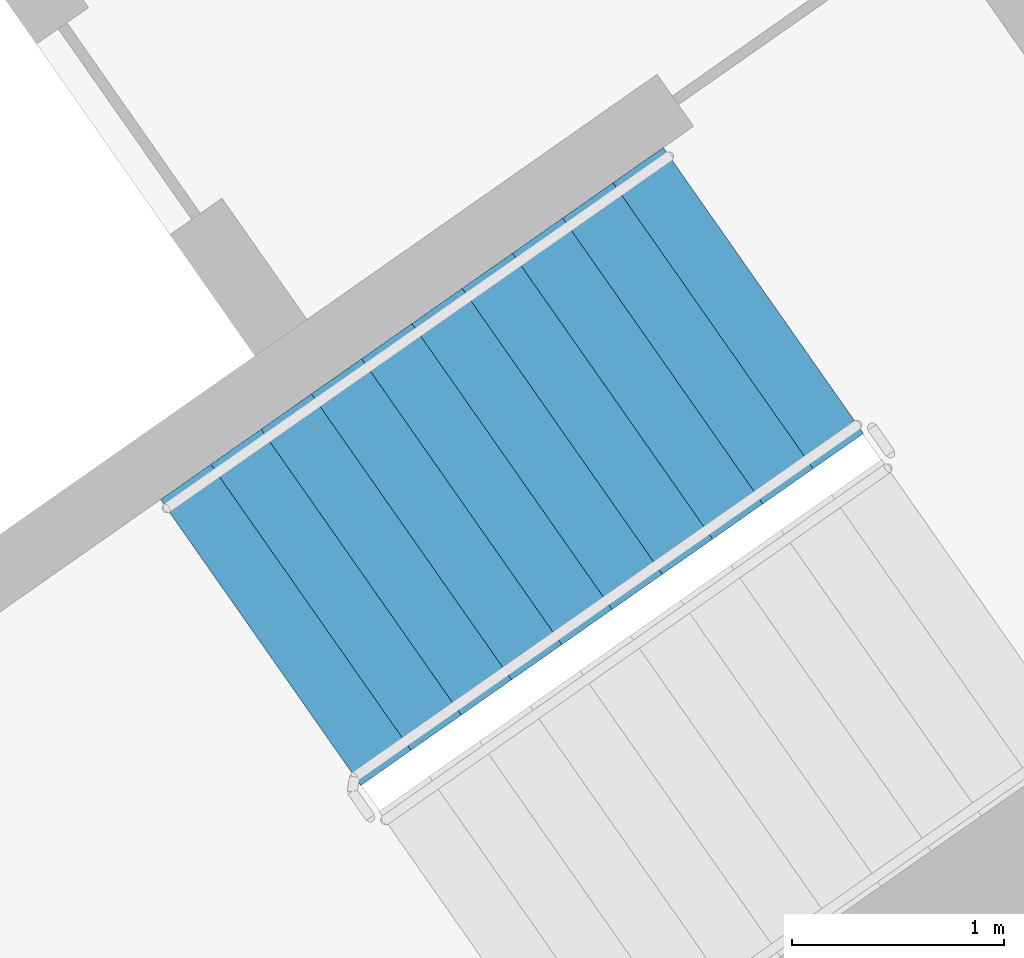
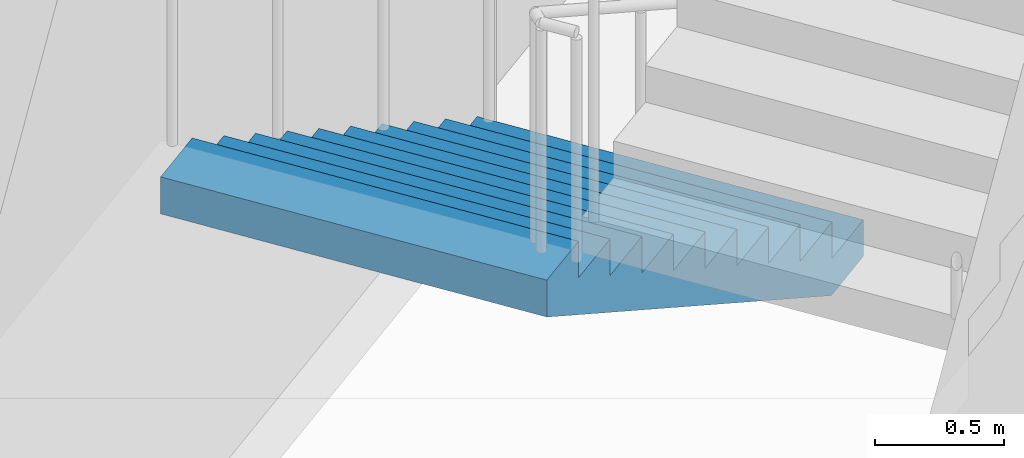
# One storey, part 13 of 26: 1 stair flight, 1 element without a shape of its own.
"""IFC4 building model written with IfcOpenShell, lengths in metres."""

from ifc_helpers import new_model, si_unit, direction, frame, origin, place, context, subcontext, project, spatial, faceted_brep, material, type_object, element, aggregate, save


model = new_model("IFC4")

# Units and contexts
model_context = context("Model", 3, precision=1e-05, world=origin(), true_north=direction((0.0, 1.0)))
body_context = subcontext(model_context, "Body", "Model", "MODEL_VIEW")
ifc_project = project(units=[si_unit("LENGTHUNIT", "METRE"), si_unit("AREAUNIT", "SQUARE_METRE"), si_unit("VOLUMEUNIT", "CUBIC_METRE"), si_unit("PLANEANGLEUNIT", "RADIAN"), si_unit("MASSUNIT", "GRAM", prefix="KILO")], contexts=[model_context])

# Site, building, storey
site_placement = place(None, origin())
site = spatial("IfcSite", under=ifc_project, at=site_placement, CompositionType="ELEMENT")
building_placement = place(site_placement, origin())
building = spatial("IfcBuilding", under=site, at=building_placement, Name="Qamariyya Broadcast Tower", CompositionType="ELEMENT")
storey_placement = place(building_placement, frame((0.0, 0.0, 156.89990234375)))
storey = spatial("IfcBuildingStorey", under=building, at=storey_placement, Name="L36", CompositionType="ELEMENT", Elevation=156.89990234375)

# Stair, stair flight
ifc_material = material(Name="Concrete C50/60", Category="concrete")
stair_type = type_object("IfcStairType", Name="Exit stair 22 risers of 173 mm", PredefinedType="HALF_TURN_STAIR", material=ifc_material)
stair_placement = place(storey_placement, origin())
stair = element("IfcStair", 1, at=stair_placement, inside=storey, type_object=stair_type, Name="L36 Stair E1", PredefinedType="HALF_TURN_STAIR")
stair_flight_type = type_object("IfcStairFlightType", Name="Exit stair flight 11 risers of 173 mm", PredefinedType="STRAIGHT", material=ifc_material)
stair_flight_placement = place(storey_placement, frame((46.036376953125, -55.508056640625, 0.0), z_axis=(0.0, 0.0, 1.0), x_axis=(-0.819152044289, -0.573576436351, 0.0)))
stair_flight = element("IfcStairFlight", 2, at=stair_flight_placement, type_object=stair_flight_type, Name="ST-E1 flight 1", NumberOfRisers=11, NumberOfTreads=10, PredefinedType="STRAIGHT", RiserHeight=0.172727273, TreadLength=0.29, context=body_context, shape_type="Brep", body=[
    faceted_brep([(0.0, 0.824951171875, 0.0), (0.0, 0.824951171875, 0.172607421875), (0.2900390625, 0.824951171875, 0.172607421875), (0.2900390625, 0.824951171875, 0.345458984375), (0.580078125, 0.824951171875, 0.345458984375), (0.580078125, 0.824951171875, 0.51806640625), (0.8701171875, 0.824951171875, 0.51806640625), (0.8701171875, 0.824951171875, 0.69091796875), (1.159912109375, 0.824951171875, 0.69091796875), (1.159912109375, 0.824951171875, 0.863525390625), (1.449951171875, 0.824951171875, 0.863525390625), (1.449951171875, 0.824951171875, 1.036376953125), (1.739990234375, 0.824951171875, 1.036376953125), (1.739990234375, 0.824951171875, 1.208984375), (2.030029296875, 0.824951171875, 1.208984375), (2.030029296875, 0.824951171875, 1.3818359375), (2.320068359375, 0.824951171875, 1.3818359375), (2.320068359375, 0.824951171875, 1.554443359375), (2.610107421875, 0.824951171875, 1.554443359375), (2.610107421875, 0.824951171875, 1.727294921875), (2.89990234375, 0.824951171875, 1.727294921875), (2.89990234375, 0.824951171875, 1.552734375), (0.29296875, 0.824951171875, 0.0), (0.29296875, -0.824951171875, 0.0), (2.89990234375, -0.824951171875, 1.552734375), (2.89990234375, -0.824951171875, 1.727294921875), (2.610107421875, -0.824951171875, 1.727294921875), (2.610107421875, -0.824951171875, 1.554443359375), (2.320068359375, -0.824951171875, 1.554443359375), (2.320068359375, -0.824951171875, 1.3818359375), (2.030029296875, -0.824951171875, 1.3818359375), (2.030029296875, -0.824951171875, 1.208984375), (1.739990234375, -0.824951171875, 1.208984375), (1.739990234375, -0.824951171875, 1.036376953125), (1.449951171875, -0.824951171875, 1.036376953125), (1.449951171875, -0.824951171875, 0.863525390625), (1.159912109375, -0.824951171875, 0.863525390625), (1.159912109375, -0.824951171875, 0.69091796875), (0.8701171875, -0.824951171875, 0.69091796875), (0.8701171875, -0.824951171875, 0.51806640625), (0.580078125, -0.824951171875, 0.51806640625), (0.580078125, -0.824951171875, 0.345458984375), (0.2900390625, -0.824951171875, 0.345458984375), (0.2900390625, -0.824951171875, 0.172607421875), (0.0, -0.824951171875, 0.172607421875), (0.0, -0.824951171875, 0.0), (0.0, 0.10009765625, 0.0), (0.0, 0.086669921875, 0.0), (0.0, 0.0732421875, 0.0), (0.0, 0.06005859375, 0.0), (0.0, 0.046630859375, 0.0), (0.0, 0.033447265625, 0.0), (0.0, 0.02001953125, 0.0), (0.0, 0.006591796875, 0.0), (0.0, -0.006591796875, 0.0), (0.0, -0.02001953125, 0.0), (0.0, -0.033447265625, 0.0), (0.0, -0.046630859375, 0.0), (0.0, -0.06005859375, 0.0), (0.0, -0.0732421875, 0.0), (0.0, -0.086669921875, 0.0), (0.0, -0.10009765625, 0.0), (0.0, -0.10009765625, 0.172607421875), (0.0, -0.086669921875, 0.172607421875), (0.0, -0.0732421875, 0.172607421875), (0.0, -0.06005859375, 0.172607421875), (0.0, -0.046630859375, 0.172607421875), (0.0, -0.033447265625, 0.172607421875), (0.0, -0.02001953125, 0.172607421875), (0.0, -0.006591796875, 0.172607421875), (0.0, 0.006591796875, 0.172607421875), (0.0, 0.02001953125, 0.172607421875), (0.0, 0.033447265625, 0.172607421875), (0.0, 0.046630859375, 0.172607421875), (0.0, 0.06005859375, 0.172607421875), (0.0, 0.0732421875, 0.172607421875), (0.0, 0.086669921875, 0.172607421875), (0.0, 0.10009765625, 0.172607421875), (0.2900390625, -0.10009765625, 0.172607421875), (0.2900390625, -0.086669921875, 0.172607421875), (0.2900390625, -0.0732421875, 0.172607421875), (0.2900390625, -0.06005859375, 0.172607421875), (0.2900390625, -0.046630859375, 0.172607421875), (0.2900390625, -0.033447265625, 0.172607421875), (0.2900390625, -0.02001953125, 0.172607421875), (0.2900390625, -0.006591796875, 0.172607421875), (0.2900390625, 0.006591796875, 0.172607421875), (0.2900390625, 0.02001953125, 0.172607421875), (0.2900390625, 0.033447265625, 0.172607421875), (0.2900390625, 0.046630859375, 0.172607421875), (0.2900390625, 0.06005859375, 0.172607421875), (0.2900390625, 0.0732421875, 0.172607421875), (0.2900390625, 0.086669921875, 0.172607421875), (0.2900390625, 0.10009765625, 0.172607421875), (0.2900390625, -0.10009765625, 0.345458984375), (0.2900390625, -0.086669921875, 0.345458984375), (0.2900390625, -0.0732421875, 0.345458984375), (0.2900390625, -0.06005859375, 0.345458984375), (0.2900390625, -0.046630859375, 0.345458984375), (0.2900390625, -0.033447265625, 0.345458984375), (0.2900390625, -0.02001953125, 0.345458984375), (0.2900390625, -0.006591796875, 0.345458984375), (0.2900390625, 0.006591796875, 0.345458984375), (0.2900390625, 0.02001953125, 0.345458984375), (0.2900390625, 0.033447265625, 0.345458984375), (0.2900390625, 0.046630859375, 0.345458984375), (0.2900390625, 0.06005859375, 0.345458984375), (0.2900390625, 0.0732421875, 0.345458984375), (0.2900390625, 0.086669921875, 0.345458984375), (0.2900390625, 0.10009765625, 0.345458984375), (0.580078125, -0.10009765625, 0.345458984375), (0.580078125, -0.086669921875, 0.345458984375), (0.580078125, -0.0732421875, 0.345458984375), (0.580078125, -0.06005859375, 0.345458984375), (0.580078125, -0.046630859375, 0.345458984375), (0.580078125, -0.033447265625, 0.345458984375), (0.580078125, -0.02001953125, 0.345458984375), (0.580078125, -0.006591796875, 0.345458984375), (0.580078125, 0.006591796875, 0.345458984375), (0.580078125, 0.02001953125, 0.345458984375), (0.580078125, 0.033447265625, 0.345458984375), (0.580078125, 0.046630859375, 0.345458984375), (0.580078125, 0.06005859375, 0.345458984375), (0.580078125, 0.0732421875, 0.345458984375), (0.580078125, 0.086669921875, 0.345458984375), (0.580078125, 0.10009765625, 0.345458984375), (0.580078125, -0.10009765625, 0.51806640625), (0.580078125, -0.086669921875, 0.51806640625), (0.580078125, -0.0732421875, 0.51806640625), (0.580078125, -0.06005859375, 0.51806640625), (0.580078125, -0.046630859375, 0.51806640625), (0.580078125, -0.033447265625, 0.51806640625), (0.580078125, -0.02001953125, 0.51806640625), (0.580078125, -0.006591796875, 0.51806640625), (0.580078125, 0.006591796875, 0.51806640625), (0.580078125, 0.02001953125, 0.51806640625), (0.580078125, 0.033447265625, 0.51806640625), (0.580078125, 0.046630859375, 0.51806640625), (0.580078125, 0.06005859375, 0.51806640625), (0.580078125, 0.0732421875, 0.51806640625), (0.580078125, 0.086669921875, 0.51806640625), (0.580078125, 0.10009765625, 0.51806640625), (0.8701171875, -0.10009765625, 0.51806640625), (0.8701171875, -0.086669921875, 0.51806640625), (0.8701171875, -0.0732421875, 0.51806640625), (0.8701171875, -0.06005859375, 0.51806640625), (0.8701171875, -0.046630859375, 0.51806640625), (0.8701171875, -0.033447265625, 0.51806640625), (0.8701171875, -0.02001953125, 0.51806640625), (0.8701171875, -0.006591796875, 0.51806640625), (0.8701171875, 0.006591796875, 0.51806640625), (0.8701171875, 0.02001953125, 0.51806640625), (0.8701171875, 0.033447265625, 0.51806640625), (0.8701171875, 0.046630859375, 0.51806640625), (0.8701171875, 0.06005859375, 0.51806640625), (0.8701171875, 0.0732421875, 0.51806640625), (0.8701171875, 0.086669921875, 0.51806640625), (0.8701171875, 0.10009765625, 0.51806640625), (0.8701171875, -0.10009765625, 0.69091796875), (0.8701171875, -0.086669921875, 0.69091796875), (0.8701171875, -0.0732421875, 0.69091796875), (0.8701171875, -0.06005859375, 0.69091796875), (0.8701171875, -0.046630859375, 0.69091796875), (0.8701171875, -0.033447265625, 0.69091796875), (0.8701171875, -0.02001953125, 0.69091796875), (0.8701171875, -0.006591796875, 0.69091796875), (0.8701171875, 0.006591796875, 0.69091796875), (0.8701171875, 0.02001953125, 0.69091796875), (0.8701171875, 0.033447265625, 0.69091796875), (0.8701171875, 0.046630859375, 0.69091796875), (0.8701171875, 0.06005859375, 0.69091796875), (0.8701171875, 0.0732421875, 0.69091796875), (0.8701171875, 0.086669921875, 0.69091796875), (0.8701171875, 0.10009765625, 0.69091796875), (1.159912109375, -0.10009765625, 0.69091796875), (1.159912109375, -0.086669921875, 0.69091796875), (1.159912109375, -0.0732421875, 0.69091796875), (1.159912109375, -0.06005859375, 0.69091796875), (1.159912109375, -0.046630859375, 0.69091796875), (1.159912109375, -0.033447265625, 0.69091796875), (1.159912109375, -0.02001953125, 0.69091796875), (1.159912109375, -0.006591796875, 0.69091796875), (1.159912109375, 0.006591796875, 0.69091796875), (1.159912109375, 0.02001953125, 0.69091796875), (1.159912109375, 0.033447265625, 0.69091796875), (1.159912109375, 0.046630859375, 0.69091796875), (1.159912109375, 0.06005859375, 0.69091796875), (1.159912109375, 0.0732421875, 0.69091796875), (1.159912109375, 0.086669921875, 0.69091796875), (1.159912109375, 0.10009765625, 0.69091796875), (1.159912109375, -0.10009765625, 0.863525390625), (1.159912109375, -0.086669921875, 0.863525390625), (1.159912109375, -0.0732421875, 0.863525390625), (1.159912109375, -0.06005859375, 0.863525390625), (1.159912109375, -0.046630859375, 0.863525390625), (1.159912109375, -0.033447265625, 0.863525390625), (1.159912109375, -0.02001953125, 0.863525390625), (1.159912109375, -0.006591796875, 0.863525390625), (1.159912109375, 0.006591796875, 0.863525390625), (1.159912109375, 0.02001953125, 0.863525390625), (1.159912109375, 0.033447265625, 0.863525390625), (1.159912109375, 0.046630859375, 0.863525390625), (1.159912109375, 0.06005859375, 0.863525390625), (1.159912109375, 0.0732421875, 0.863525390625), (1.159912109375, 0.086669921875, 0.863525390625), (1.159912109375, 0.10009765625, 0.863525390625), (1.449951171875, -0.10009765625, 0.863525390625), (1.449951171875, -0.086669921875, 0.863525390625), (1.449951171875, -0.0732421875, 0.863525390625), (1.449951171875, -0.06005859375, 0.863525390625), (1.449951171875, -0.046630859375, 0.863525390625), (1.449951171875, -0.033447265625, 0.863525390625), (1.449951171875, -0.02001953125, 0.863525390625), (1.449951171875, -0.006591796875, 0.863525390625), (1.449951171875, 0.006591796875, 0.863525390625), (1.449951171875, 0.02001953125, 0.863525390625), (1.449951171875, 0.033447265625, 0.863525390625), (1.449951171875, 0.046630859375, 0.863525390625), (1.449951171875, 0.06005859375, 0.863525390625), (1.449951171875, 0.0732421875, 0.863525390625), (1.449951171875, 0.086669921875, 0.863525390625), (1.449951171875, 0.10009765625, 0.863525390625), (1.449951171875, -0.10009765625, 1.036376953125), (1.449951171875, -0.086669921875, 1.036376953125), (1.449951171875, -0.0732421875, 1.036376953125), (1.449951171875, -0.06005859375, 1.036376953125), (1.449951171875, -0.046630859375, 1.036376953125), (1.449951171875, -0.033447265625, 1.036376953125), (1.449951171875, -0.02001953125, 1.036376953125), (1.449951171875, -0.006591796875, 1.036376953125), (1.449951171875, 0.006591796875, 1.036376953125), (1.449951171875, 0.02001953125, 1.036376953125), (1.449951171875, 0.033447265625, 1.036376953125), (1.449951171875, 0.046630859375, 1.036376953125), (1.449951171875, 0.06005859375, 1.036376953125), (1.449951171875, 0.0732421875, 1.036376953125), (1.449951171875, 0.086669921875, 1.036376953125), (1.449951171875, 0.10009765625, 1.036376953125), (1.739990234375, -0.10009765625, 1.036376953125), (1.739990234375, -0.086669921875, 1.036376953125), (1.739990234375, -0.0732421875, 1.036376953125), (1.739990234375, -0.06005859375, 1.036376953125), (1.739990234375, -0.046630859375, 1.036376953125), (1.739990234375, -0.033447265625, 1.036376953125), (1.739990234375, -0.02001953125, 1.036376953125), (1.739990234375, -0.006591796875, 1.036376953125), (1.739990234375, 0.006591796875, 1.036376953125), (1.739990234375, 0.02001953125, 1.036376953125), (1.739990234375, 0.033447265625, 1.036376953125), (1.739990234375, 0.046630859375, 1.036376953125), (1.739990234375, 0.06005859375, 1.036376953125), (1.739990234375, 0.0732421875, 1.036376953125), (1.739990234375, 0.086669921875, 1.036376953125), (1.739990234375, 0.10009765625, 1.036376953125), (1.739990234375, -0.10009765625, 1.208984375), (1.739990234375, -0.086669921875, 1.208984375), (1.739990234375, -0.0732421875, 1.208984375), (1.739990234375, -0.06005859375, 1.208984375), (1.739990234375, -0.046630859375, 1.208984375), (1.739990234375, -0.033447265625, 1.208984375), (1.739990234375, -0.02001953125, 1.208984375), (1.739990234375, -0.006591796875, 1.208984375), (1.739990234375, 0.006591796875, 1.208984375), (1.739990234375, 0.02001953125, 1.208984375), (1.739990234375, 0.033447265625, 1.208984375), (1.739990234375, 0.046630859375, 1.208984375), (1.739990234375, 0.06005859375, 1.208984375), (1.739990234375, 0.0732421875, 1.208984375), (1.739990234375, 0.086669921875, 1.208984375), (1.739990234375, 0.10009765625, 1.208984375), (2.030029296875, -0.10009765625, 1.208984375), (2.030029296875, -0.086669921875, 1.208984375), (2.030029296875, -0.0732421875, 1.208984375), (2.030029296875, -0.06005859375, 1.208984375), (2.030029296875, -0.046630859375, 1.208984375), (2.030029296875, -0.033447265625, 1.208984375), (2.030029296875, -0.02001953125, 1.208984375), (2.030029296875, -0.006591796875, 1.208984375), (2.030029296875, 0.006591796875, 1.208984375), (2.030029296875, 0.02001953125, 1.208984375), (2.030029296875, 0.033447265625, 1.208984375), (2.030029296875, 0.046630859375, 1.208984375), (2.030029296875, 0.06005859375, 1.208984375), (2.030029296875, 0.0732421875, 1.208984375), (2.030029296875, 0.086669921875, 1.208984375), (2.030029296875, 0.10009765625, 1.208984375), (2.030029296875, -0.10009765625, 1.3818359375), (2.030029296875, -0.086669921875, 1.3818359375), (2.030029296875, -0.0732421875, 1.3818359375), (2.030029296875, -0.06005859375, 1.3818359375), (2.030029296875, -0.046630859375, 1.3818359375), (2.030029296875, -0.033447265625, 1.3818359375), (2.030029296875, -0.02001953125, 1.3818359375), (2.030029296875, -0.006591796875, 1.3818359375), (2.030029296875, 0.006591796875, 1.3818359375), (2.030029296875, 0.02001953125, 1.3818359375), (2.030029296875, 0.033447265625, 1.3818359375), (2.030029296875, 0.046630859375, 1.3818359375), (2.030029296875, 0.06005859375, 1.3818359375), (2.030029296875, 0.0732421875, 1.3818359375), (2.030029296875, 0.086669921875, 1.3818359375), (2.030029296875, 0.10009765625, 1.3818359375), (2.320068359375, -0.10009765625, 1.3818359375), (2.320068359375, -0.086669921875, 1.3818359375), (2.320068359375, -0.0732421875, 1.3818359375), (2.320068359375, -0.06005859375, 1.3818359375), (2.320068359375, -0.046630859375, 1.3818359375), (2.320068359375, -0.033447265625, 1.3818359375), (2.320068359375, -0.02001953125, 1.3818359375), (2.320068359375, -0.006591796875, 1.3818359375), (2.320068359375, 0.006591796875, 1.3818359375), (2.320068359375, 0.02001953125, 1.3818359375), (2.320068359375, 0.033447265625, 1.3818359375), (2.320068359375, 0.046630859375, 1.3818359375), (2.320068359375, 0.06005859375, 1.3818359375), (2.320068359375, 0.0732421875, 1.3818359375), (2.320068359375, 0.086669921875, 1.3818359375), (2.320068359375, 0.10009765625, 1.3818359375), (2.320068359375, -0.10009765625, 1.554443359375), (2.320068359375, -0.086669921875, 1.554443359375), (2.320068359375, -0.0732421875, 1.554443359375), (2.320068359375, -0.06005859375, 1.554443359375), (2.320068359375, -0.046630859375, 1.554443359375), (2.320068359375, -0.033447265625, 1.554443359375), (2.320068359375, -0.02001953125, 1.554443359375), (2.320068359375, -0.006591796875, 1.554443359375), (2.320068359375, 0.006591796875, 1.554443359375), (2.320068359375, 0.02001953125, 1.554443359375), (2.320068359375, 0.033447265625, 1.554443359375), (2.320068359375, 0.046630859375, 1.554443359375), (2.320068359375, 0.06005859375, 1.554443359375), (2.320068359375, 0.0732421875, 1.554443359375), (2.320068359375, 0.086669921875, 1.554443359375), (2.320068359375, 0.10009765625, 1.554443359375), (2.610107421875, -0.10009765625, 1.554443359375), (2.610107421875, -0.086669921875, 1.554443359375), (2.610107421875, -0.0732421875, 1.554443359375), (2.610107421875, -0.06005859375, 1.554443359375), (2.610107421875, -0.046630859375, 1.554443359375), (2.610107421875, -0.033447265625, 1.554443359375), (2.610107421875, -0.02001953125, 1.554443359375), (2.610107421875, -0.006591796875, 1.554443359375), (2.610107421875, 0.006591796875, 1.554443359375), (2.610107421875, 0.02001953125, 1.554443359375), (2.610107421875, 0.033447265625, 1.554443359375), (2.610107421875, 0.046630859375, 1.554443359375), (2.610107421875, 0.06005859375, 1.554443359375), (2.610107421875, 0.0732421875, 1.554443359375), (2.610107421875, 0.086669921875, 1.554443359375), (2.610107421875, 0.10009765625, 1.554443359375), (2.610107421875, -0.10009765625, 1.727294921875), (2.610107421875, -0.086669921875, 1.727294921875), (2.610107421875, -0.0732421875, 1.727294921875), (2.610107421875, -0.06005859375, 1.727294921875), (2.610107421875, -0.046630859375, 1.727294921875), (2.610107421875, -0.033447265625, 1.727294921875), (2.610107421875, -0.02001953125, 1.727294921875), (2.610107421875, -0.006591796875, 1.727294921875), (2.610107421875, 0.006591796875, 1.727294921875), (2.610107421875, 0.02001953125, 1.727294921875), (2.610107421875, 0.033447265625, 1.727294921875), (2.610107421875, 0.046630859375, 1.727294921875), (2.610107421875, 0.06005859375, 1.727294921875), (2.610107421875, 0.0732421875, 1.727294921875), (2.610107421875, 0.086669921875, 1.727294921875), (2.610107421875, 0.10009765625, 1.727294921875), (2.89990234375, -0.10009765625, 1.727294921875), (2.89990234375, -0.086669921875, 1.727294921875), (2.89990234375, -0.0732421875, 1.727294921875), (2.89990234375, -0.06005859375, 1.727294921875), (2.89990234375, -0.046630859375, 1.727294921875), (2.89990234375, -0.033447265625, 1.727294921875), (2.89990234375, -0.02001953125, 1.727294921875), (2.89990234375, -0.006591796875, 1.727294921875), (2.89990234375, 0.006591796875, 1.727294921875), (2.89990234375, 0.02001953125, 1.727294921875), (2.89990234375, 0.033447265625, 1.727294921875), (2.89990234375, 0.046630859375, 1.727294921875), (2.89990234375, 0.06005859375, 1.727294921875), (2.89990234375, 0.0732421875, 1.727294921875), (2.89990234375, 0.086669921875, 1.727294921875), (2.89990234375, 0.10009765625, 1.727294921875), (2.89990234375, -0.10009765625, 1.552734375), (2.89990234375, -0.086669921875, 1.552734375), (2.89990234375, -0.0732421875, 1.552734375), (2.89990234375, -0.06005859375, 1.552734375), (2.89990234375, -0.046630859375, 1.552734375), (2.89990234375, -0.033447265625, 1.552734375), (2.89990234375, -0.02001953125, 1.552734375), (2.89990234375, -0.006591796875, 1.552734375), (2.89990234375, 0.006591796875, 1.552734375), (2.89990234375, 0.02001953125, 1.552734375), (2.89990234375, 0.033447265625, 1.552734375), (2.89990234375, 0.046630859375, 1.552734375), (2.89990234375, 0.06005859375, 1.552734375), (2.89990234375, 0.0732421875, 1.552734375), (2.89990234375, 0.086669921875, 1.552734375), (2.89990234375, 0.10009765625, 1.552734375), (0.29296875, -0.10009765625, 0.0), (0.29296875, -0.086669921875, 0.0), (0.29296875, -0.0732421875, 0.0), (0.29296875, -0.06005859375, 0.0), (0.29296875, -0.046630859375, 0.0), (0.29296875, -0.033447265625, 0.0), (0.29296875, -0.02001953125, 0.0), (0.29296875, -0.006591796875, 0.0), (0.29296875, 0.006591796875, 0.0), (0.29296875, 0.02001953125, 0.0), (0.29296875, 0.033447265625, 0.0), (0.29296875, 0.046630859375, 0.0), (0.29296875, 0.06005859375, 0.0), (0.29296875, 0.0732421875, 0.0), (0.29296875, 0.086669921875, 0.0), (0.29296875, 0.10009765625, 0.0)], [[[0, 1, 2, 3, 4, 5, 6, 7, 8, 9, 10, 11, 12, 13, 14, 15, 16, 17, 18, 19, 20, 21, 22]], [[23, 24, 25, 26, 27, 28, 29, 30, 31, 32, 33, 34, 35, 36, 37, 38, 39, 40, 41, 42, 43, 44, 45]], [[0, 46, 47, 48, 49, 50, 51, 52, 53, 54, 55, 56, 57, 58, 59, 60, 61, 45, 44, 62, 63, 64, 65, 66, 67, 68, 69, 70, 71, 72, 73, 74, 75, 76, 77, 1]], [[1, 77, 76, 75, 74, 73, 72, 71, 70, 69, 68, 67, 66, 65, 64, 63, 62, 44, 43, 78, 79, 80, 81, 82, 83, 84, 85, 86, 87, 88, 89, 90, 91, 92, 93, 2]], [[2, 93, 92, 91, 90, 89, 88, 87, 86, 85, 84, 83, 82, 81, 80, 79, 78, 43, 42, 94, 95, 96, 97, 98, 99, 100, 101, 102, 103, 104, 105, 106, 107, 108, 109, 3]], [[3, 109, 108, 107, 106, 105, 104, 103, 102, 101, 100, 99, 98, 97, 96, 95, 94, 42, 41, 110, 111, 112, 113, 114, 115, 116, 117, 118, 119, 120, 121, 122, 123, 124, 125, 4]], [[4, 125, 124, 123, 122, 121, 120, 119, 118, 117, 116, 115, 114, 113, 112, 111, 110, 41, 40, 126, 127, 128, 129, 130, 131, 132, 133, 134, 135, 136, 137, 138, 139, 140, 141, 5]], [[5, 141, 140, 139, 138, 137, 136, 135, 134, 133, 132, 131, 130, 129, 128, 127, 126, 40, 39, 142, 143, 144, 145, 146, 147, 148, 149, 150, 151, 152, 153, 154, 155, 156, 157, 6]], [[6, 157, 156, 155, 154, 153, 152, 151, 150, 149, 148, 147, 146, 145, 144, 143, 142, 39, 38, 158, 159, 160, 161, 162, 163, 164, 165, 166, 167, 168, 169, 170, 171, 172, 173, 7]], [[7, 173, 172, 171, 170, 169, 168, 167, 166, 165, 164, 163, 162, 161, 160, 159, 158, 38, 37, 174, 175, 176, 177, 178, 179, 180, 181, 182, 183, 184, 185, 186, 187, 188, 189, 8]], [[8, 189, 188, 187, 186, 185, 184, 183, 182, 181, 180, 179, 178, 177, 176, 175, 174, 37, 36, 190, 191, 192, 193, 194, 195, 196, 197, 198, 199, 200, 201, 202, 203, 204, 205, 9]], [[9, 205, 204, 203, 202, 201, 200, 199, 198, 197, 196, 195, 194, 193, 192, 191, 190, 36, 35, 206, 207, 208, 209, 210, 211, 212, 213, 214, 215, 216, 217, 218, 219, 220, 221, 10]], [[10, 221, 220, 219, 218, 217, 216, 215, 214, 213, 212, 211, 210, 209, 208, 207, 206, 35, 34, 222, 223, 224, 225, 226, 227, 228, 229, 230, 231, 232, 233, 234, 235, 236, 237, 11]], [[11, 237, 236, 235, 234, 233, 232, 231, 230, 229, 228, 227, 226, 225, 224, 223, 222, 34, 33, 238, 239, 240, 241, 242, 243, 244, 245, 246, 247, 248, 249, 250, 251, 252, 253, 12]], [[12, 253, 252, 251, 250, 249, 248, 247, 246, 245, 244, 243, 242, 241, 240, 239, 238, 33, 32, 254, 255, 256, 257, 258, 259, 260, 261, 262, 263, 264, 265, 266, 267, 268, 269, 13]], [[13, 269, 268, 267, 266, 265, 264, 263, 262, 261, 260, 259, 258, 257, 256, 255, 254, 32, 31, 270, 271, 272, 273, 274, 275, 276, 277, 278, 279, 280, 281, 282, 283, 284, 285, 14]], [[14, 285, 284, 283, 282, 281, 280, 279, 278, 277, 276, 275, 274, 273, 272, 271, 270, 31, 30, 286, 287, 288, 289, 290, 291, 292, 293, 294, 295, 296, 297, 298, 299, 300, 301, 15]], [[15, 301, 300, 299, 298, 297, 296, 295, 294, 293, 292, 291, 290, 289, 288, 287, 286, 30, 29, 302, 303, 304, 305, 306, 307, 308, 309, 310, 311, 312, 313, 314, 315, 316, 317, 16]], [[16, 317, 316, 315, 314, 313, 312, 311, 310, 309, 308, 307, 306, 305, 304, 303, 302, 29, 28, 318, 319, 320, 321, 322, 323, 324, 325, 326, 327, 328, 329, 330, 331, 332, 333, 17]], [[17, 333, 332, 331, 330, 329, 328, 327, 326, 325, 324, 323, 322, 321, 320, 319, 318, 28, 27, 334, 335, 336, 337, 338, 339, 340, 341, 342, 343, 344, 345, 346, 347, 348, 349, 18]], [[18, 349, 348, 347, 346, 345, 344, 343, 342, 341, 340, 339, 338, 337, 336, 335, 334, 27, 26, 350, 351, 352, 353, 354, 355, 356, 357, 358, 359, 360, 361, 362, 363, 364, 365, 19]], [[19, 365, 364, 363, 362, 361, 360, 359, 358, 357, 356, 355, 354, 353, 352, 351, 350, 26, 25, 366, 367, 368, 369, 370, 371, 372, 373, 374, 375, 376, 377, 378, 379, 380, 381, 20]], [[20, 381, 380, 379, 378, 377, 376, 375, 374, 373, 372, 371, 370, 369, 368, 367, 366, 25, 24, 382, 383, 384, 385, 386, 387, 388, 389, 390, 391, 392, 393, 394, 395, 396, 397, 21]], [[21, 397, 396, 395, 394, 393, 392, 391, 390, 389, 388, 387, 386, 385, 384, 383, 382, 24, 23, 398, 399, 400, 401, 402, 403, 404, 405, 406, 407, 408, 409, 410, 411, 412, 413, 22]], [[22, 413, 412, 411, 410, 409, 408, 407, 406, 405, 404, 403, 402, 401, 400, 399, 398, 23, 45, 61, 60, 59, 58, 57, 56, 55, 54, 53, 52, 51, 50, 49, 48, 47, 46, 0]]]),
])
aggregate(stair, [stair_flight])

save(model, "model.ifc")
